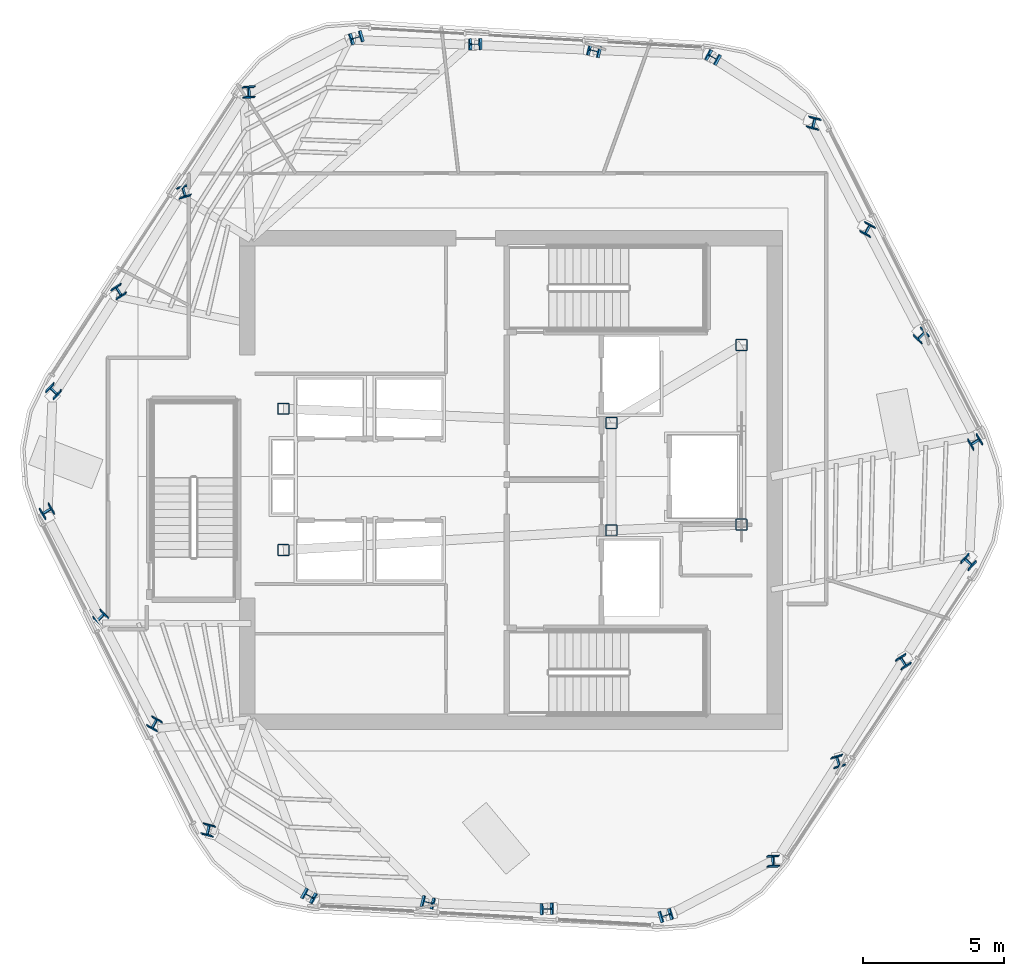
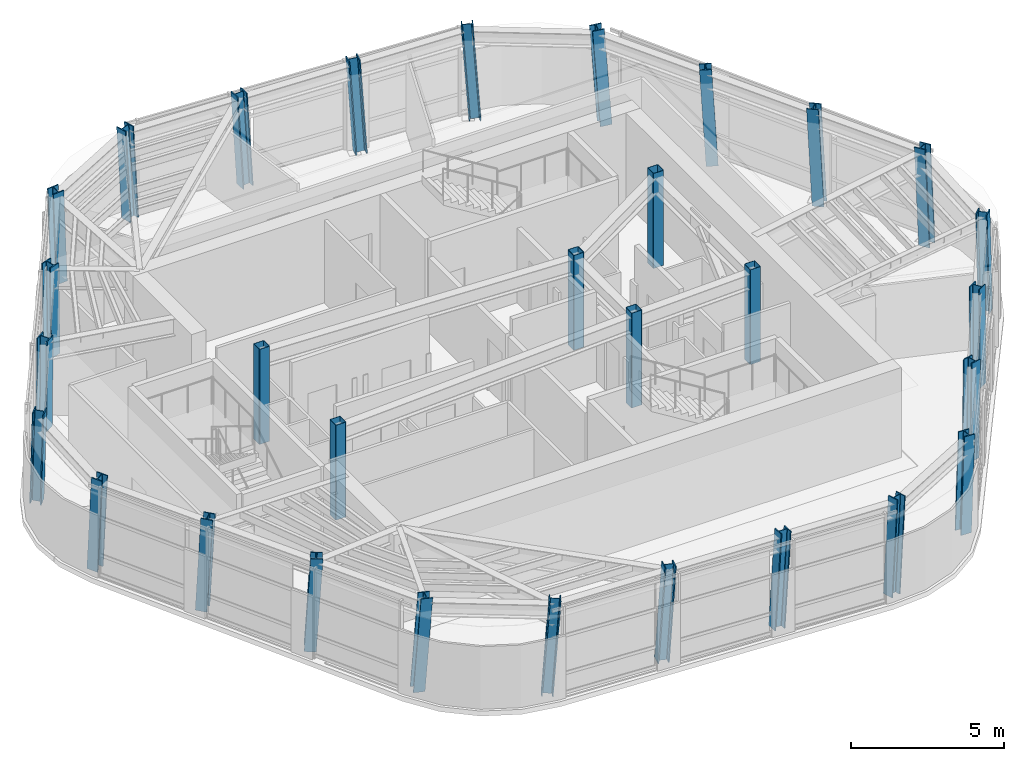
# One storey, part 1 of 13: 30 columns.
"""IFC4 building model written with IfcOpenShell, lengths in metres."""

from ifc_helpers import new_model, si_unit, direction, frame, origin, origin_2d, place, context, subcontext, project, spatial, hollow_rectangle, i_section, extrude, material, material_profile, profile_set, type_object, element, save


model = new_model("IFC4")

# Units and contexts
model_context = context("Model", 3, precision=1e-05, world=origin(), true_north=direction((0.0, 1.0)))
body_context = subcontext(model_context, "Body", "Model", "MODEL_VIEW")
ifc_project = project(units=[si_unit("LENGTHUNIT", "METRE"), si_unit("AREAUNIT", "SQUARE_METRE"), si_unit("VOLUMEUNIT", "CUBIC_METRE"), si_unit("PLANEANGLEUNIT", "RADIAN"), si_unit("MASSUNIT", "GRAM", prefix="KILO")], contexts=[model_context])

# Site, building, storey
site_placement = place(None, origin())
site = spatial("IfcSite", under=ifc_project, at=site_placement, CompositionType="ELEMENT")
building_placement = place(site_placement, origin())
building = spatial("IfcBuilding", under=site, at=building_placement, Name="Valkerne Bourse Tower", CompositionType="ELEMENT")
storey_placement = place(building_placement, frame((0.0, 0.0, 269.800048828125)))
storey = spatial("IfcBuildingStorey", under=building, at=storey_placement, Name="L68", CompositionType="ELEMENT", Elevation=269.800048828125)

# Columns
ifc_material_1 = material(Name="Steel ASTM A500 Grade C", Category="steel")
ifc_material_profile_1 = material_profile(ifc_material_1, hollow_rectangle(XDim=0.39990234375, YDim=0.39990234375, WallThickness=0.01611328125, OuterFilletRadius=0.031982421875, at=origin_2d()), Name="HSS400X400X16")
ifc_profile_set_1 = profile_set([ifc_material_profile_1], Name="Steel ASTM A500 Grade C")
column_type_1 = type_object("IfcColumnType", Name="COL-HSS400X400X16", PredefinedType="COLUMN", material=ifc_profile_set_1)
for number, where, z_axis, x_axis, name in (
    (1, (38.75, 24.39990234375, 0.0048828125), (0.0, 0.0, 1.0), (1.0, 0.0, 0.0), "L68 Core Frame Column CC-SW"),
    (2, (38.75, 29.39990234375, 0.0048828125), (0.0, 0.0, 1.0), (1.0, 0.0, 0.0), "L68 Core Frame Column CC-NW"),
    (3, (50.35009765625, 25.10009765625, 0.0048828125), (0.0, 0.0, 1.0), (1.0, 0.0, 0.0), "L68 Core Frame Column CC-CE1"),
    (4, (50.35009765625, 28.89990234375, 0.0048828125), (0.0, 0.0, 1.0), (1.0, 0.0, 0.0), "L68 Core Frame Column CC-CE2"),
    (5, (54.949951171875, 25.300048828125, 0.0048828125), (0.0, 0.0, 1.0), (1.0, 0.0, 0.0), "L68 Core Frame Column CC-SE"),
    (6, (54.949951171875, 31.64990234375, 0.0048828125), (0.0, 0.0, 1.0), (1.0, 0.0, 0.0), "L68 Core Frame Column CC-NE"),
):
    element("IfcColumn", number, at=place(storey_placement, frame(where, z_axis=z_axis, x_axis=x_axis)), inside=storey, type_object=column_type_1, Name=name, PredefinedType="COLUMN", context=body_context, shape_type="SweptSolid", body=[
        extrude(hollow_rectangle(XDim=0.39990234375, YDim=0.39990234375, WallThickness=0.01611328125, OuterFilletRadius=0.031982421875, at=origin_2d()), origin(), (0.0, 0.0, 1.0), 3.795166015625),
    ])
ifc_material_2 = material(Name="Steel ASTM A913 Grade 65", Category="steel")
ifc_material_profile_2 = material_profile(ifc_material_2, i_section(OverallWidth=0.4013671875, OverallDepth=0.398681640625, WebThickness=0.02490234375, FlangeThickness=0.03955078125, FilletRadius=0.025390625, at=origin_2d()), Name="W14X211")
ifc_profile_set_2 = profile_set([ifc_material_profile_2], Name="Steel ASTM A913 Grade 65")
column_type_2 = type_object("IfcColumnType", Name="COL-W14X211", PredefinedType="COLUMN", material=ifc_profile_set_2)
column_1_placement = place(storey_placement, frame((53.982421875, 41.809814453125, 0.010009765625), z_axis=(-0.061649620879, 0.029310948276, 0.99766737571), x_axis=(0.480538101105, 0.876965046378, 0.003929480639)))
element("IfcColumn", 7, at=column_1_placement, inside=storey, type_object=column_type_2, Name="L68 Helical Perimeter Tube Column F1-C1", PredefinedType="COLUMN", context=body_context, shape_type="SweptSolid", body=[
    extrude(i_section(OverallWidth=0.4013671875, OverallDepth=0.398681640625, WebThickness=0.02490234375, FlangeThickness=0.03955078125, FilletRadius=0.025390625, at=origin_2d()), origin(), (0.0, 0.0, 1.0), 3.789794921875),
])
for number, where, z_axis, x_axis, name in (
    (8, (49.77734375, 42.05224609375, 0.010009765625), (-0.06250628999, 0.011856863256, 0.997974137193), (0.242499272514, 0.970144675068, 0.003662276369), "L68 Helical Perimeter Tube Column F1-C2"),
    (9, (45.572509765625, 42.294921875, 0.010009765625), (-0.063408301896, -0.005606221814, 0.997971922214), (-0.030700980384, 0.999521897152, 0.003664275867), "L68 Helical Perimeter Tube Column F1-C3"),
):
    element("IfcColumn", number, at=place(storey_placement, frame(where, z_axis=z_axis, x_axis=x_axis)), inside=storey, type_object=column_type_2, Name=name, PredefinedType="COLUMN", context=body_context, shape_type="SweptSolid", body=[
        extrude(i_section(OverallWidth=0.4013671875, OverallDepth=0.398681640625, WebThickness=0.02490234375, FlangeThickness=0.03955078125, FilletRadius=0.025390625, at=origin_2d()), origin(), (0.0, 0.0, 1.0), 3.78857421875),
    ])
for number, where, z_axis, x_axis, name in (
    (10, (41.367431640625, 42.537109375, 0.010009765625), (-0.064226596247, -0.022997888526, 0.997670306994), (-0.282486747373, 0.959263163121, 0.00392701376), "L68 Helical Perimeter Tube Column F1-C4"),
    (11, (37.5654296875, 40.625, 0.010009765625), (-0.056174239455, -0.038651999625, 0.997672530316), (-0.998166678463, -0.020377607875, -0.056991535374), "L68 Helical Perimeter Tube Column F2-C1"),
):
    element("IfcColumn", number, at=place(storey_placement, frame(where, z_axis=z_axis, x_axis=x_axis)), inside=storey, type_object=column_type_2, Name=name, PredefinedType="COLUMN", context=body_context, shape_type="SweptSolid", body=[
        extrude(i_section(OverallWidth=0.4013671875, OverallDepth=0.398681640625, WebThickness=0.02490234375, FlangeThickness=0.03955078125, FilletRadius=0.025390625, at=origin_2d()), origin(), (0.0, 0.0, 1.0), 3.789794921875),
    ])
for number, where, z_axis, x_axis, name in (
    (12, (35.2529296875, 37.104736328125, 0.010009765625), (-0.041499065855, -0.048200778353, 0.997975206355), (-0.960288353251, -0.273898168022, -0.053160814178), "L68 Helical Perimeter Tube Column F2-C2"),
    (13, (32.9404296875, 33.584228515625, 0.010009765625), (-0.026806858843, -0.05767341025, 0.997975535807), (-0.849448080516, -0.524987948152, -0.053156493517), "L68 Helical Perimeter Tube Column F2-C3"),
):
    element("IfcColumn", number, at=place(storey_placement, frame(where, z_axis=z_axis, x_axis=x_axis)), inside=storey, type_object=column_type_2, Name=name, PredefinedType="COLUMN", context=body_context, shape_type="SweptSolid", body=[
        extrude(i_section(OverallWidth=0.4013671875, OverallDepth=0.398681640625, WebThickness=0.02490234375, FlangeThickness=0.03955078125, FilletRadius=0.025390625, at=origin_2d()), origin(), (0.0, 0.0, 1.0), 3.78857421875),
    ])
for number, where, z_axis, x_axis, name in (
    (14, (30.628173828125, 30.063720703125, 0.010009765625), (-0.012239762294, -0.06712543321, 0.997669466525), (-0.689698177745, -0.721847711025, -0.057028990034), "L68 Helical Perimeter Tube Column F2-C4"),
    (15, (30.383056640625, 25.815185546875, 0.010009765625), (0.005475701469, -0.067963118237, 0.997672807714), (0.519446064221, -0.85232938855, -0.06091305097), "L68 Helical Perimeter Tube Column F3-C1"),
):
    element("IfcColumn", number, at=place(storey_placement, frame(where, z_axis=z_axis, x_axis=x_axis)), inside=storey, type_object=column_type_2, Name=name, PredefinedType="COLUMN", context=body_context, shape_type="SweptSolid", body=[
        extrude(i_section(OverallWidth=0.4013671875, OverallDepth=0.398681640625, WebThickness=0.02490234375, FlangeThickness=0.03955078125, FilletRadius=0.025390625, at=origin_2d()), origin(), (0.0, 0.0, 1.0), 3.789794921875),
    ])
for number, where, z_axis, x_axis, name in (
    (16, (32.275634765625, 22.052490234375, 0.010009765625), (0.020942770072, -0.06012185993, 0.997971323406), (0.717593323994, -0.694136068772, -0.056876527569), "L68 Helical Perimeter Tube Column F3-C2"),
    (17, (34.168212890625, 18.28955078125, 0.010009765625), (0.036472736273, -0.052131525874, 0.997973969359), (0.87925565198, -0.472946904046, -0.056839461768), "L68 Helical Perimeter Tube Column F3-C3"),
):
    element("IfcColumn", number, at=place(storey_placement, frame(where, z_axis=z_axis, x_axis=x_axis)), inside=storey, type_object=column_type_2, Name=name, PredefinedType="COLUMN", context=body_context, shape_type="SweptSolid", body=[
        extrude(i_section(OverallWidth=0.4013671875, OverallDepth=0.398681640625, WebThickness=0.02490234375, FlangeThickness=0.03955078125, FilletRadius=0.025390625, at=origin_2d()), origin(), (0.0, 0.0, 1.0), 3.78857421875),
    ])
for number, where, z_axis, x_axis, name in (
    (18, (36.060791015625, 14.526611328125, 0.010009765625), (0.051986929787, -0.044127691331, 0.997672344003), (0.97027149854, -0.234226558864, -0.060919112297), "L68 Helical Perimeter Tube Column F3-C4"),
    (19, (39.61767578125, 12.190185546875, 0.010009765625), (0.061585445669, -0.029311064623, 0.997671335848), (0.480893925698, 0.876769991271, -0.003926147539), "L68 Helical Perimeter Tube Column F4-C1"),
):
    element("IfcColumn", number, at=place(storey_placement, frame(where, z_axis=z_axis, x_axis=x_axis)), inside=storey, type_object=column_type_2, Name=name, PredefinedType="COLUMN", context=body_context, shape_type="SweptSolid", body=[
        extrude(i_section(OverallWidth=0.4013671875, OverallDepth=0.398681640625, WebThickness=0.02490234375, FlangeThickness=0.03955078125, FilletRadius=0.025390625, at=origin_2d()), origin(), (0.0, 0.0, 1.0), 3.789794921875),
    ])
for number, where, z_axis, x_axis, name in (
    (20, (43.822509765625, 11.94775390625, 0.010009765625), (0.06250628999, -0.011856863256, 0.997974137193), (0.242499272514, 0.970144675068, -0.003662276369), "L68 Helical Perimeter Tube Column F4-C2"),
    (21, (48.027587890625, 11.705078125, 0.010009765625), (0.063344121257, 0.005606244709, 0.997975997869), (-0.030789949218, 0.999519173936, -0.003660595858), "L68 Helical Perimeter Tube Column F4-C3"),
):
    element("IfcColumn", number, at=place(storey_placement, frame(where, z_axis=z_axis, x_axis=x_axis)), inside=storey, type_object=column_type_2, Name=name, PredefinedType="COLUMN", context=body_context, shape_type="SweptSolid", body=[
        extrude(i_section(OverallWidth=0.4013671875, OverallDepth=0.398681640625, WebThickness=0.02490234375, FlangeThickness=0.03955078125, FilletRadius=0.025390625, at=origin_2d()), origin(), (0.0, 0.0, 1.0), 3.78857421875),
    ])
for number, where, z_axis, x_axis, name in (
    (22, (52.232666015625, 11.462890625, 0.010009765625), (0.064226596247, 0.022997888526, 0.997670306994), (-0.282486747373, 0.959263163121, -0.00392701376), "L68 Helical Perimeter Tube Column F4-C4"),
    (23, (56.034423828125, 13.375, 0.010009765625), (0.056174239455, 0.038651999625, 0.997672530316), (-0.998166678463, -0.020377607875, 0.056991535374), "L68 Helical Perimeter Tube Column F5-C1"),
):
    element("IfcColumn", number, at=place(storey_placement, frame(where, z_axis=z_axis, x_axis=x_axis)), inside=storey, type_object=column_type_2, Name=name, PredefinedType="COLUMN", context=body_context, shape_type="SweptSolid", body=[
        extrude(i_section(OverallWidth=0.4013671875, OverallDepth=0.398681640625, WebThickness=0.02490234375, FlangeThickness=0.03955078125, FilletRadius=0.025390625, at=origin_2d()), origin(), (0.0, 0.0, 1.0), 3.789794921875),
    ])
for number, where, z_axis, x_axis, name in (
    (24, (58.346923828125, 16.895263671875, 0.010009765625), (0.041563394164, 0.048200649356, 0.997972535528), (-0.960496766807, -0.273159595858, 0.053195828262), "L68 Helical Perimeter Tube Column F5-C2"),
    (25, (60.659423828125, 20.415771484375, 0.010009765625), (0.026871251933, 0.057673310505, 0.997973809814), (-0.849929273564, -0.524206267182, 0.053179125473), "L68 Helical Perimeter Tube Column F5-C3"),
):
    element("IfcColumn", number, at=place(storey_placement, frame(where, z_axis=z_axis, x_axis=x_axis)), inside=storey, type_object=column_type_2, Name=name, PredefinedType="COLUMN", context=body_context, shape_type="SweptSolid", body=[
        extrude(i_section(OverallWidth=0.4013671875, OverallDepth=0.398681640625, WebThickness=0.02490234375, FlangeThickness=0.03955078125, FilletRadius=0.025390625, at=origin_2d()), origin(), (0.0, 0.0, 1.0), 3.78857421875),
    ])
for number, where, z_axis, x_axis, name in (
    (26, (62.971923828125, 23.936279296875, 0.010009765625), (0.012175352067, 0.067125485998, 0.997670251101), (-0.689027423562, -0.7224887525, 0.057019400992), "L68 Helical Perimeter Tube Column F5-C4"),
    (27, (63.216796875, 28.184814453125, 0.010009765625), (-0.00541128335, 0.06796314207, 0.997673157568), (0.518643113419, -0.852818549441, 0.060908477509), "L68 Helical Perimeter Tube Column F6-C1"),
):
    element("IfcColumn", number, at=place(storey_placement, frame(where, z_axis=z_axis, x_axis=x_axis)), inside=storey, type_object=column_type_2, Name=name, PredefinedType="COLUMN", context=body_context, shape_type="SweptSolid", body=[
        extrude(i_section(OverallWidth=0.4013671875, OverallDepth=0.398681640625, WebThickness=0.02490234375, FlangeThickness=0.03955078125, FilletRadius=0.025390625, at=origin_2d()), origin(), (0.0, 0.0, 1.0), 3.789794921875),
    ])
column_2_placement = place(storey_placement, frame((61.324462890625, 31.947509765625, 0.010009765625), z_axis=(-0.021007180971, 0.060121778669, 0.997969974537), x_axis=(0.718255854545, -0.693448944981, 0.056895413847)))
element("IfcColumn", 28, at=column_2_placement, inside=storey, type_object=column_type_2, Name="L68 Helical Perimeter Tube Column F6-C2", PredefinedType="COLUMN", context=body_context, shape_type="SweptSolid", body=[
    extrude(i_section(OverallWidth=0.4013671875, OverallDepth=0.398681640625, WebThickness=0.02490234375, FlangeThickness=0.03955078125, FilletRadius=0.025390625, at=origin_2d()), origin(), (0.0, 0.0, 1.0), 3.788818359375),
])
column_3_placement = place(storey_placement, frame((59.431884765625, 35.71044921875, 0.010009765625), z_axis=(-0.036537089788, 0.052131403242, 0.997971621774), x_axis=(0.87964640825, -0.472215768861, 0.056872349098)))
element("IfcColumn", 29, at=column_3_placement, inside=storey, type_object=column_type_2, Name="L68 Helical Perimeter Tube Column F6-C3", PredefinedType="COLUMN", context=body_context, shape_type="SweptSolid", body=[
    extrude(i_section(OverallWidth=0.4013671875, OverallDepth=0.398681640625, WebThickness=0.02490234375, FlangeThickness=0.03955078125, FilletRadius=0.025390625, at=origin_2d()), origin(), (0.0, 0.0, 1.0), 3.78857421875),
])
column_4_placement = place(storey_placement, frame((57.539306640625, 39.473388671875, 0.010009765625), z_axis=(-0.052051175347, 0.044127543457, 0.997669000748), x_axis=(0.970412130194, -0.233631836814, 0.06096279521)))
element("IfcColumn", 30, at=column_4_placement, inside=storey, type_object=column_type_2, Name="L68 Helical Perimeter Tube Column F6-C4", PredefinedType="COLUMN", context=body_context, shape_type="SweptSolid", body=[
    extrude(i_section(OverallWidth=0.4013671875, OverallDepth=0.398681640625, WebThickness=0.02490234375, FlangeThickness=0.03955078125, FilletRadius=0.025390625, at=origin_2d()), origin(), (0.0, 0.0, 1.0), 3.789794921875),
])

save(model, "model.ifc")
